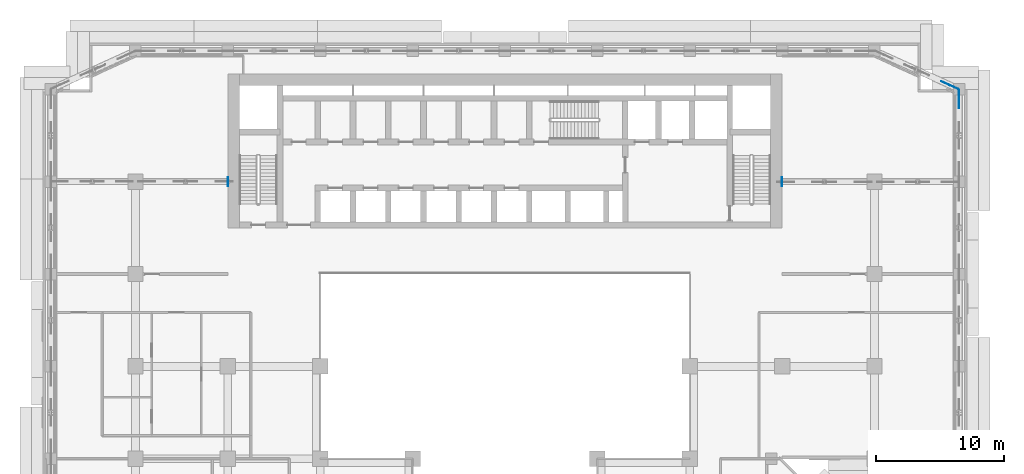
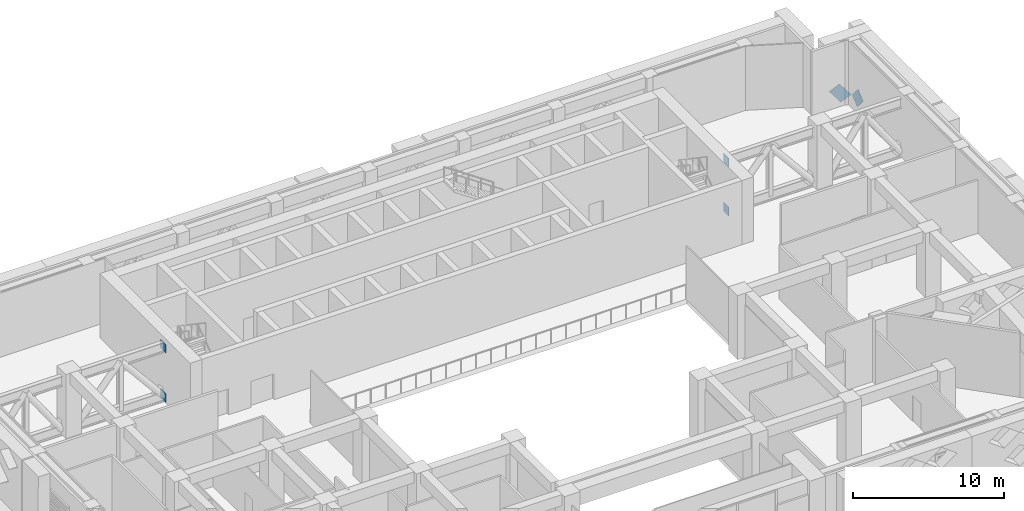
# One storey, part 14 of 19: 6 discrete accessories.
"""IFC4 building model written with IfcOpenShell, lengths in metres."""

from ifc_helpers import new_model, si_unit, direction, frame, origin, origin_2d, place, context, subcontext, project, spatial, polyline, rectangle, outline, extrude, source, transform, mapped, element, save


model = new_model("IFC4")

# Units and contexts
model_context = context("Model", 3, precision=1e-05, world=origin(), true_north=direction((0.0, 1.0)))
body_context = subcontext(model_context, "Body", "Model", "MODEL_VIEW")
ifc_project = project(units=[si_unit("LENGTHUNIT", "METRE"), si_unit("AREAUNIT", "SQUARE_METRE"), si_unit("VOLUMEUNIT", "CUBIC_METRE"), si_unit("PLANEANGLEUNIT", "RADIAN"), si_unit("MASSUNIT", "GRAM", prefix="KILO")], contexts=[model_context])

# Site, building, storey
site_placement = place(None, origin())
site = spatial("IfcSite", under=ifc_project, at=site_placement, CompositionType="ELEMENT")
building_placement = place(site_placement, origin())
building = spatial("IfcBuilding", under=site, at=building_placement, Name="Saffron Iwan Residences", CompositionType="ELEMENT")
storey_placement = place(building_placement, frame((0.0, 0.0, 107.5)))
storey = spatial("IfcBuildingStorey", under=building, at=storey_placement, Name="L28", CompositionType="ELEMENT", Elevation=107.5)

# Discrete accessories
shared_shape = source(origin(), body_context, "Body", "SweptSolid", [
    extrude(rectangle(XDim=0.0400390625, YDim=0.699951171875, at=origin_2d()), origin(), (0.0, 0.0, 1.0), 0.699951171875),
])
for number, where, z_axis, x_axis, name in (
    (1, (28.820068359375, 69.60009765625, 0.05712890625), (0.0, 0.0, 1.0), (1.0, 0.0, 0.0), "Embed plate L28 W bottom"),
    (2, (28.820068359375, 69.60009765625, 4.04296875), (0.0, 0.0, 1.0), (1.0, 0.0, 0.0), "Embed plate L28 W top"),
    (3, (71.97998046875, 69.60009765625, 0.05712890625), (0.0, 0.0, 1.0), (1.0, 0.0, 0.0), "Embed plate L28 E bottom"),
    (4, (71.97998046875, 69.60009765625, 4.04296875), (0.0, 0.0, 1.0), (1.0, 0.0, 0.0), "Embed plate L28 E top"),
):
    element("IfcDiscreteAccessory", number, at=place(storey_placement, frame(where, z_axis=z_axis, x_axis=x_axis)), inside=storey, Name=name, PredefinedType="ANCHORPLATE", context=body_context, shape_type="MappedRepresentation", body=[
        mapped(shared_shape, transform((0.0, 0.0, 0.0))),
    ])
discrete_accessory_1_placement = place(storey_placement, frame((85.10888671875, 77.1142578125, -0.072998046875), z_axis=(0.413673959907, 0.910425094583, 4.5251501e-05), x_axis=(-0.589933601613, 0.268012935516, 0.761674085212)))
element("IfcDiscreteAccessory", 5, at=discrete_accessory_1_placement, inside=storey, Name="Gusset plate L28", PredefinedType="BRACKET", context=body_context, shape_type="SweptSolid", body=[
    extrude(outline(polyline([(0.0, 0.0), (1.2000703749480381, 0.0), (1.2002183450935195, 0.8999613377903443), (8.253729989626812e-05, 0.9000382692918993), (0.0, 0.0)])), origin(), (0.0, 0.0, -1.0), 0.030029296875),
])
discrete_accessory_2_placement = place(storey_placement, frame((85.800048828125, 76.77001953125, 0.511474609375), z_axis=(1.0, 0.0, 0.0), x_axis=(0.0, -0.650372443632, 0.759615484679)))
element("IfcDiscreteAccessory", 6, at=discrete_accessory_2_placement, inside=storey, Name="Gusset plate L28", PredefinedType="BRACKET", context=body_context, shape_type="SweptSolid", body=[
    extrude(outline(polyline([(0.0, 0.0), (1.2001086235554106, 0.0), (1.2001683221373671, 0.89986965441581), (0.00021848091682746817, 0.9000551074149994), (0.0, 0.0)])), origin(), (0.0, 0.0, -1.0), 0.030029296875),
])

save(model, "model.ifc")
